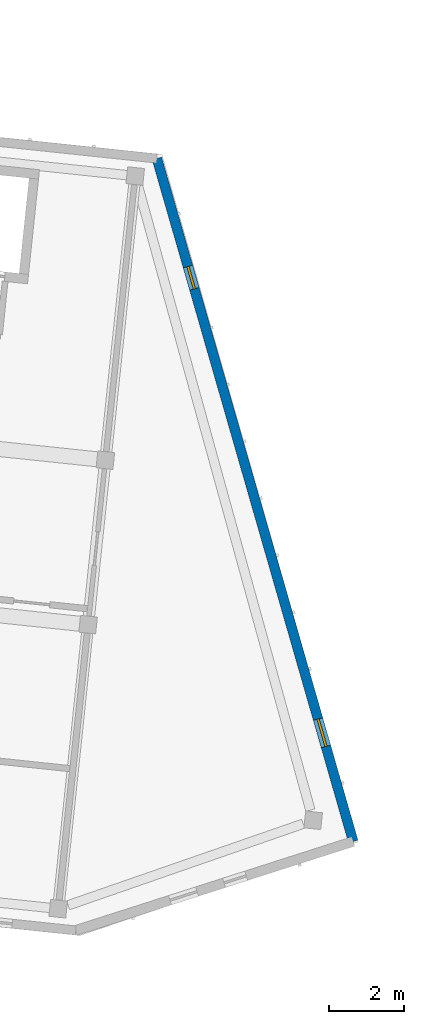
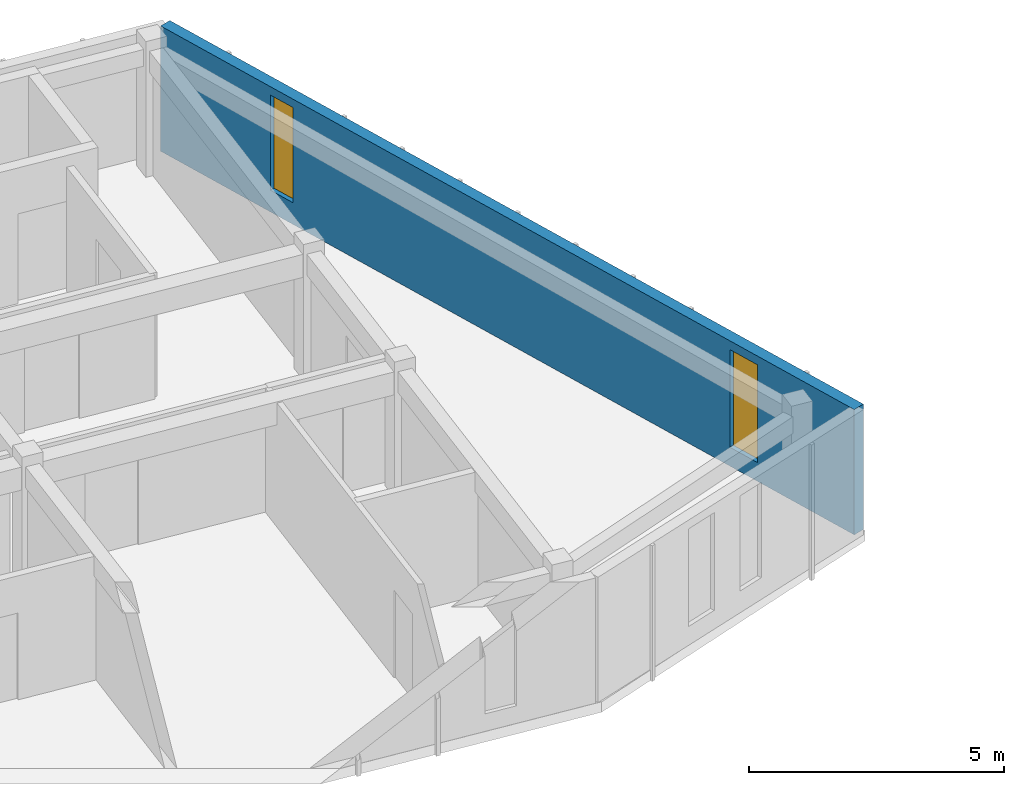
# One storey, part 37 of 64: 2 windows, 1 wall, 2 openings.
"""IFC4 building model written with IfcOpenShell, lengths in metres."""

from ifc_helpers import new_model, si_unit, direction, frame, frame_2d, origin, place, context, subcontext, project, spatial, rectangle, extrude, material, layer, layer_set, type_object, element, fill, save


model = new_model("IFC4")

# Units and contexts
model_context = context("Model", 3, precision=1e-05, world=origin(), true_north=direction((0.0, 1.0)))
body_context = subcontext(model_context, "Body", "Model", "MODEL_VIEW")
ifc_project = project(units=[si_unit("LENGTHUNIT", "METRE"), si_unit("AREAUNIT", "SQUARE_METRE"), si_unit("VOLUMEUNIT", "CUBIC_METRE"), si_unit("PLANEANGLEUNIT", "RADIAN"), si_unit("MASSUNIT", "GRAM", prefix="KILO")], contexts=[model_context])

# Site, building, storey
site_placement = place(None, origin())
site = spatial("IfcSite", under=ifc_project, at=site_placement, CompositionType="ELEMENT")
building_placement = place(site_placement, origin())
building = spatial("IfcBuilding", under=site, at=building_placement, Name="Kestramere Prow Commons", CompositionType="ELEMENT")
storey_placement = place(building_placement, frame((0.0, 0.0, 24.64990234375)))
storey = spatial("IfcBuildingStorey", under=building, at=storey_placement, Name="L07", CompositionType="ELEMENT", Elevation=24.64990234375)

# Wall, openings, windows
ifc_material_1 = material(Name="Weathered Zinc-Titanium Standing-Seam Cladding")
ifc_layer = layer(ifc_material_1, 0.260009765625)
ifc_layer_set = layer_set([ifc_layer], Name="Weathered Zinc-Titanium Standing-Seam Cladding")
wall_type = type_object("IfcWallType", Name="EW-PROW-260", PredefinedType="SOLIDWALL", material=ifc_layer_set)
wall_placement = place(storey_placement, frame((160.36279296875, 109.742431640625, 0.0), z_axis=(0.0, 0.0, 1.0), x_axis=(0.276322184526, -0.961065060409, 0.0)))
wall = element("IfcWall", 1, at=wall_placement, inside=storey, type_object=wall_type, Name="Block B L07 PRW-N Facet Wall", PredefinedType="SOLIDWALL", context=body_context, shape_type="SweptSolid", body=[
    extrude(rectangle(XDim=18.90673828125, YDim=0.260009765625, at=frame_2d((9.453369140625, 0.0))), origin(), (0.0, 0.0, 1.0), 3.0),
])
opening_1_placement = place(wall_placement, frame((2.989990234375, 0.0, 0.52001953125)))
opening_1 = element("IfcOpeningElement", 2, at=opening_1_placement, cuts=wall, Name="Opening WN-03", PredefinedType="OPENING", context=body_context, shape_type="SweptSolid", body=[
    extrude(rectangle(XDim=0.6201171875, YDim=2.280029296875, at=frame_2d((0.31005859375, 1.14013671875))), frame((0.0, 0.14501953125, 0.0), z_axis=(0.0, -1.0, 0.0), x_axis=(1.0, 0.0, 0.0)), (0.0, 0.0, 1.0), 0.2900390625),
])
opening_2_placement = place(wall_placement, frame((15.5166015625, 0.0, 0.449951171875)))
opening_2 = element("IfcOpeningElement", 3, at=opening_2_placement, cuts=wall, Name="Opening WN-10", PredefinedType="OPENING", context=body_context, shape_type="SweptSolid", body=[
    extrude(rectangle(XDim=0.760009765625, YDim=2.340087890625, at=frame_2d((0.3798828125, 1.169921875))), frame((0.0, 0.14501953125, 0.0), z_axis=(0.0, -1.0, 0.0), x_axis=(1.0, 0.0, 0.0)), (0.0, 0.0, 1.0), 0.2900390625),
])
ifc_material_2 = material(Name="Low-E Laminated Double Glazing", Category="glass")
window_type_1 = type_object("IfcWindowType", Name="WN-NAR-620A", PartitioningType="SINGLE_PANEL", PredefinedType="WINDOW", material=ifc_material_2)
window_1_placement = place(opening_1_placement, origin())
window_1 = element("IfcWindow", 4, at=window_1_placement, inside=storey, type_object=window_type_1, Name="WN-B-L07-PRW-N-0", OverallHeight=2.280029296875, OverallWidth=0.6201171875, PartitioningType="SINGLE_PANEL", PredefinedType="WINDOW", context=body_context, shape_type="SweptSolid", body=[
    extrude(rectangle(XDim=0.6201171875, YDim=2.280029296875, at=frame_2d((0.31005859375, 1.14013671875))), frame((0.0, 0.030029296875, 0.0), z_axis=(0.0, -1.0, 0.0), x_axis=(1.0, 0.0, 0.0)), (0.0, 0.0, 1.0), 0.06005859375),
])
fill(opening_1, window_1)
window_type_2 = type_object("IfcWindowType", Name="WN-NAR-760A", PartitioningType="SINGLE_PANEL", PredefinedType="WINDOW", material=ifc_material_2)
window_2_placement = place(opening_2_placement, origin())
window_2 = element("IfcWindow", 5, at=window_2_placement, inside=storey, type_object=window_type_2, Name="WN-B-L07-PRW-N-1", OverallHeight=2.340087890625, OverallWidth=0.760009765625, PartitioningType="SINGLE_PANEL", PredefinedType="WINDOW", context=body_context, shape_type="SweptSolid", body=[
    extrude(rectangle(XDim=0.760009765625, YDim=2.340087890625, at=frame_2d((0.3798828125, 1.169921875))), frame((0.0, 0.030029296875, 0.0), z_axis=(0.0, -1.0, 0.0), x_axis=(1.0, 0.0, 0.0)), (0.0, 0.0, 1.0), 0.06005859375),
])
fill(opening_2, window_2)

save(model, "model.ifc")
